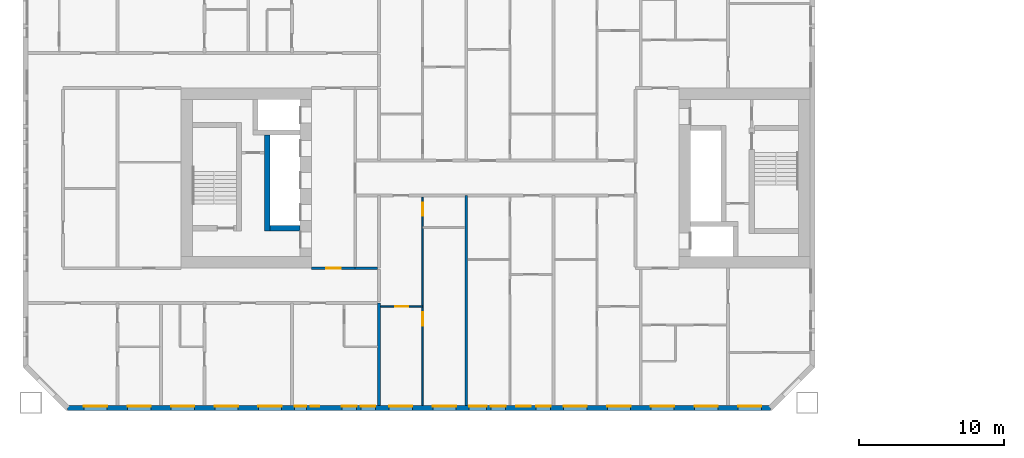
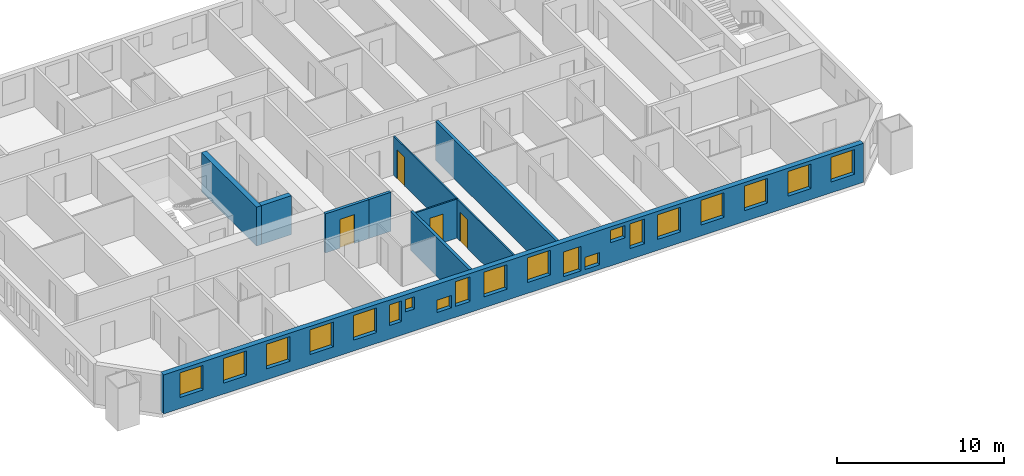
# One storey, part 4 of 19: 20 windows, 9 walls, 4 doors, 24 openings.
"""IFC4 building model written with IfcOpenShell, lengths in metres."""

from ifc_helpers import new_model, si_unit, direction, frame, frame_2d, origin, place, context, subcontext, project, spatial, rectangle, extrude, material, layer, layer_set, type_object, element, fill, save


model = new_model("IFC4")

# Units and contexts
model_context = context("Model", 3, precision=1e-05, world=origin(), true_north=direction((0.0, 1.0)))
body_context = subcontext(model_context, "Body", "Model", "MODEL_VIEW")
ifc_project = project(units=[si_unit("LENGTHUNIT", "METRE"), si_unit("AREAUNIT", "SQUARE_METRE"), si_unit("VOLUMEUNIT", "CUBIC_METRE"), si_unit("PLANEANGLEUNIT", "RADIAN"), si_unit("MASSUNIT", "GRAM", prefix="KILO")], contexts=[model_context])

# Site, building, storey
site_placement = place(None, origin())
site = spatial("IfcSite", under=ifc_project, at=site_placement, CompositionType="ELEMENT")
building_placement = place(site_placement, origin())
building = spatial("IfcBuilding", under=site, at=building_placement, Name="Tuart Gate Housing", CompositionType="ELEMENT")
storey_placement = place(building_placement, frame((0.0, 0.0, 56.699951171875)))
storey = spatial("IfcBuildingStorey", under=building, at=storey_placement, Name="L15", CompositionType="ELEMENT", Elevation=56.699951171875)

# Wall, openings, windows
ifc_material_1 = material(Name="Brick", Category="masonry")
ifc_layer_1 = layer(ifc_material_1, 0.360107421875)
ifc_layer_set_1 = layer_set([ifc_layer_1], Name="Brick pier and spandrel wall 360")
wall_type_1 = type_object("IfcWallType", Name="Brick pier and spandrel wall 360", PredefinedType="STANDARD", material=ifc_layer_set_1)
wall_1_placement = place(storey_placement, frame((24.57470703125, 54.179931640625, 0.0), z_axis=(0.0, 0.0, 1.0), x_axis=(1.0, 0.0, 0.0)))
wall_1 = element("IfcWall", 1, at=wall_1_placement, inside=storey, type_object=wall_type_1, Name="External wall A-S L15", PredefinedType="STANDARD", context=body_context, shape_type="SweptSolid", body=[
    extrude(rectangle(XDim=48.350830078125, YDim=0.360107421875, at=frame_2d((24.17529296875, 0.0))), origin(), (0.0, 0.0, 1.0), 2.85009765625),
])
opening_1_placement = place(wall_1_placement, frame((1.12548828125, 0.0, 0.800048828125)))
opening_1 = element("IfcOpeningElement", 2, at=opening_1_placement, cuts=wall_1, Name="Opening W1", PredefinedType="OPENING", context=body_context, shape_type="SweptSolid", body=[
    extrude(rectangle(XDim=1.60009765625, YDim=1.800048828125, at=frame_2d((0.800048828125, 0.89990234375))), frame((0.0, 0.18994140625, 0.0), z_axis=(0.0, -1.0, 0.0), x_axis=(1.0, 0.0, 0.0)), (0.0, 0.0, 1.0), 0.380126953125),
])
opening_2_placement = place(wall_1_placement, frame((4.12548828125, 0.0, 0.800048828125)))
opening_2 = element("IfcOpeningElement", 3, at=opening_2_placement, cuts=wall_1, Name="Opening W1", PredefinedType="OPENING", context=body_context, shape_type="SweptSolid", body=[
    extrude(rectangle(XDim=1.60009765625, YDim=1.800048828125, at=frame_2d((0.800048828125, 0.89990234375))), frame((0.0, 0.18994140625, 0.0), z_axis=(0.0, -1.0, 0.0), x_axis=(1.0, 0.0, 0.0)), (0.0, 0.0, 1.0), 0.380126953125),
])
opening_3_placement = place(wall_1_placement, frame((7.12548828125, 0.0, 0.800048828125)))
opening_3 = element("IfcOpeningElement", 4, at=opening_3_placement, cuts=wall_1, Name="Opening W1", PredefinedType="OPENING", context=body_context, shape_type="SweptSolid", body=[
    extrude(rectangle(XDim=1.60009765625, YDim=1.800048828125, at=frame_2d((0.800048828125, 0.89990234375))), frame((0.0, 0.18994140625, 0.0), z_axis=(0.0, -1.0, 0.0), x_axis=(1.0, 0.0, 0.0)), (0.0, 0.0, 1.0), 0.380126953125),
])
opening_4_placement = place(wall_1_placement, frame((10.12548828125, 0.0, 0.800048828125)))
opening_4 = element("IfcOpeningElement", 5, at=opening_4_placement, cuts=wall_1, Name="Opening W1", PredefinedType="OPENING", context=body_context, shape_type="SweptSolid", body=[
    extrude(rectangle(XDim=1.60009765625, YDim=1.800048828125, at=frame_2d((0.800048828125, 0.89990234375))), frame((0.0, 0.18994140625, 0.0), z_axis=(0.0, -1.0, 0.0), x_axis=(1.0, 0.0, 0.0)), (0.0, 0.0, 1.0), 0.380126953125),
])
opening_5_placement = place(wall_1_placement, frame((13.12548828125, 0.0, 0.800048828125)))
opening_5 = element("IfcOpeningElement", 6, at=opening_5_placement, cuts=wall_1, Name="Opening W1", PredefinedType="OPENING", context=body_context, shape_type="SweptSolid", body=[
    extrude(rectangle(XDim=1.60009765625, YDim=1.800048828125, at=frame_2d((0.800048828125, 0.89990234375))), frame((0.0, 0.18994140625, 0.0), z_axis=(0.0, -1.0, 0.0), x_axis=(1.0, 0.0, 0.0)), (0.0, 0.0, 1.0), 0.380126953125),
])
opening_6_placement = place(wall_1_placement, frame((15.62548828125, 0.0, 1.0)))
opening_6 = element("IfcOpeningElement", 7, at=opening_6_placement, cuts=wall_1, Name="Opening W1J", PredefinedType="OPENING", context=body_context, shape_type="SweptSolid", body=[
    extrude(rectangle(XDim=0.800048828125, YDim=1.5, at=frame_2d((0.39990234375, 0.75))), frame((0.0, 0.18994140625, 0.0), z_axis=(0.0, -1.0, 0.0), x_axis=(1.0, 0.0, 0.0)), (0.0, 0.0, 1.0), 0.380126953125),
])
opening_7_placement = place(wall_1_placement, frame((16.725341796875, 0.0, 1.60009765625)))
opening_7 = element("IfcOpeningElement", 8, at=opening_7_placement, cuts=wall_1, Name="Opening W1W", PredefinedType="OPENING", context=body_context, shape_type="SweptSolid", body=[
    extrude(rectangle(XDim=0.60009765625, YDim=0.89990234375, at=frame_2d((0.300048828125, 0.449951171875))), frame((0.0, 0.18994140625, 0.0), z_axis=(0.0, -1.0, 0.0), x_axis=(1.0, 0.0, 0.0)), (0.0, 0.0, 1.0), 0.380126953125),
])
opening_8_placement = place(wall_1_placement, frame((22.12548828125, 0.0, 0.800048828125)))
opening_8 = element("IfcOpeningElement", 9, at=opening_8_placement, cuts=wall_1, Name="Opening W1", PredefinedType="OPENING", context=body_context, shape_type="SweptSolid", body=[
    extrude(rectangle(XDim=1.60009765625, YDim=1.800048828125, at=frame_2d((0.800048828125, 0.89990234375))), frame((0.0, 0.18994140625, 0.0), z_axis=(0.0, -1.0, 0.0), x_axis=(1.0, 0.0, 0.0)), (0.0, 0.0, 1.0), 0.380126953125),
])
opening_9_placement = place(wall_1_placement, frame((25.12548828125, 0.0, 0.800048828125)))
opening_9 = element("IfcOpeningElement", 10, at=opening_9_placement, cuts=wall_1, Name="Opening W1", PredefinedType="OPENING", context=body_context, shape_type="SweptSolid", body=[
    extrude(rectangle(XDim=1.60009765625, YDim=1.800048828125, at=frame_2d((0.800048828125, 0.89990234375))), frame((0.0, 0.18994140625, 0.0), z_axis=(0.0, -1.0, 0.0), x_axis=(1.0, 0.0, 0.0)), (0.0, 0.0, 1.0), 0.380126953125),
])
opening_10_placement = place(wall_1_placement, frame((27.62548828125, 0.0, 0.35009765625)))
opening_10 = element("IfcOpeningElement", 11, at=opening_10_placement, cuts=wall_1, Name="Opening W1B", PredefinedType="OPENING", context=body_context, shape_type="SweptSolid", body=[
    extrude(rectangle(XDim=1.199951171875, YDim=1.800048828125, at=frame_2d((0.60009765625, 0.89990234375))), frame((0.0, 0.18994140625, 0.0), z_axis=(0.0, -1.0, 0.0), x_axis=(1.0, 0.0, 0.0)), (0.0, 0.0, 1.0), 0.380126953125),
])
opening_11_placement = place(wall_1_placement, frame((30.87548828125, 0.0, 1.699951171875)))
opening_11 = element("IfcOpeningElement", 12, at=opening_11_placement, cuts=wall_1, Name="Opening W1U", PredefinedType="OPENING", context=body_context, shape_type="SweptSolid", body=[
    extrude(rectangle(XDim=1.0, YDim=0.89990234375, at=frame_2d((0.5, 0.449951171875))), frame((0.0, 0.18994140625, 0.0), z_axis=(0.0, -1.0, 0.0), x_axis=(1.0, 0.0, 0.0)), (0.0, 0.0, 1.0), 0.380126953125),
])
opening_12_placement = place(wall_1_placement, frame((34.12548828125, 0.0, 0.800048828125)))
opening_12 = element("IfcOpeningElement", 13, at=opening_12_placement, cuts=wall_1, Name="Opening W1", PredefinedType="OPENING", context=body_context, shape_type="SweptSolid", body=[
    extrude(rectangle(XDim=1.60009765625, YDim=1.800048828125, at=frame_2d((0.800048828125, 0.89990234375))), frame((0.0, 0.18994140625, 0.0), z_axis=(0.0, -1.0, 0.0), x_axis=(1.0, 0.0, 0.0)), (0.0, 0.0, 1.0), 0.380126953125),
])
opening_13_placement = place(wall_1_placement, frame((37.12548828125, 0.0, 0.800048828125)))
opening_13 = element("IfcOpeningElement", 14, at=opening_13_placement, cuts=wall_1, Name="Opening W1", PredefinedType="OPENING", context=body_context, shape_type="SweptSolid", body=[
    extrude(rectangle(XDim=1.60009765625, YDim=1.800048828125, at=frame_2d((0.800048828125, 0.89990234375))), frame((0.0, 0.18994140625, 0.0), z_axis=(0.0, -1.0, 0.0), x_axis=(1.0, 0.0, 0.0)), (0.0, 0.0, 1.0), 0.380126953125),
])
opening_14_placement = place(wall_1_placement, frame((40.12548828125, 0.0, 0.800048828125)))
opening_14 = element("IfcOpeningElement", 15, at=opening_14_placement, cuts=wall_1, Name="Opening W1", PredefinedType="OPENING", context=body_context, shape_type="SweptSolid", body=[
    extrude(rectangle(XDim=1.60009765625, YDim=1.800048828125, at=frame_2d((0.800048828125, 0.89990234375))), frame((0.0, 0.18994140625, 0.0), z_axis=(0.0, -1.0, 0.0), x_axis=(1.0, 0.0, 0.0)), (0.0, 0.0, 1.0), 0.380126953125),
])
opening_15_placement = place(wall_1_placement, frame((43.12548828125, 0.0, 0.800048828125)))
opening_15 = element("IfcOpeningElement", 16, at=opening_15_placement, cuts=wall_1, Name="Opening W1", PredefinedType="OPENING", context=body_context, shape_type="SweptSolid", body=[
    extrude(rectangle(XDim=1.60009765625, YDim=1.800048828125, at=frame_2d((0.800048828125, 0.89990234375))), frame((0.0, 0.18994140625, 0.0), z_axis=(0.0, -1.0, 0.0), x_axis=(1.0, 0.0, 0.0)), (0.0, 0.0, 1.0), 0.380126953125),
])
opening_16_placement = place(wall_1_placement, frame((46.12548828125, 0.0, 0.800048828125)))
opening_16 = element("IfcOpeningElement", 17, at=opening_16_placement, cuts=wall_1, Name="Opening W1", PredefinedType="OPENING", context=body_context, shape_type="SweptSolid", body=[
    extrude(rectangle(XDim=1.60009765625, YDim=1.800048828125, at=frame_2d((0.800048828125, 0.89990234375))), frame((0.0, 0.18994140625, 0.0), z_axis=(0.0, -1.0, 0.0), x_axis=(1.0, 0.0, 0.0)), (0.0, 0.0, 1.0), 0.380126953125),
])
opening_17_placement = place(wall_1_placement, frame((18.87548828125, 0.0, 0.800048828125)))
opening_17 = element("IfcOpeningElement", 18, at=opening_17_placement, cuts=wall_1, Name="Opening W1U", PredefinedType="OPENING", context=body_context, shape_type="SweptSolid", body=[
    extrude(rectangle(XDim=1.0, YDim=0.89990234375, at=frame_2d((0.5, 0.449951171875))), frame((0.0, 0.18994140625, 0.0), z_axis=(0.0, -1.0, 0.0), x_axis=(1.0, 0.0, 0.0)), (0.0, 0.0, 1.0), 0.380126953125),
])
opening_18_placement = place(wall_1_placement, frame((20.17529296875, 0.0, 0.800048828125)))
opening_18 = element("IfcOpeningElement", 19, at=opening_18_placement, cuts=wall_1, Name="Opening W1C", PredefinedType="OPENING", context=body_context, shape_type="SweptSolid", body=[
    extrude(rectangle(XDim=1.0, YDim=1.800048828125, at=frame_2d((0.5, 0.89990234375))), frame((0.0, 0.18994140625, 0.0), z_axis=(0.0, -1.0, 0.0), x_axis=(1.0, 0.0, 0.0)), (0.0, 0.0, 1.0), 0.380126953125),
])
opening_19_placement = place(wall_1_placement, frame((29.12548828125, 0.0, 0.35009765625)))
opening_19 = element("IfcOpeningElement", 20, at=opening_19_placement, cuts=wall_1, Name="Opening W1U", PredefinedType="OPENING", context=body_context, shape_type="SweptSolid", body=[
    extrude(rectangle(XDim=1.0, YDim=0.89990234375, at=frame_2d((0.5, 0.449951171875))), frame((0.0, 0.18994140625, 0.0), z_axis=(0.0, -1.0, 0.0), x_axis=(1.0, 0.0, 0.0)), (0.0, 0.0, 1.0), 0.380126953125),
])
opening_20_placement = place(wall_1_placement, frame((32.225341796875, 0.0, 0.800048828125)))
opening_20 = element("IfcOpeningElement", 21, at=opening_20_placement, cuts=wall_1, Name="Opening W1C", PredefinedType="OPENING", context=body_context, shape_type="SweptSolid", body=[
    extrude(rectangle(XDim=1.0, YDim=1.800048828125, at=frame_2d((0.5, 0.89990234375))), frame((0.0, 0.18994140625, 0.0), z_axis=(0.0, -1.0, 0.0), x_axis=(1.0, 0.0, 0.0)), (0.0, 0.0, 1.0), 0.380126953125),
])
ifc_material_2 = material(Name="Aluminium frame with clear glass", Category="aluminium")
window_type_1 = type_object("IfcWindowType", Name="Punched window 1000 x 1800", PartitioningType="SINGLE_PANEL", PredefinedType="WINDOW", material=ifc_material_2)
window_1_placement = place(opening_18_placement, origin())
window_1 = element("IfcWindow", 22, at=window_1_placement, inside=storey, type_object=window_type_1, Name="Window W1C", OverallHeight=1.800048828125, OverallWidth=1.0, PartitioningType="SINGLE_PANEL", PredefinedType="WINDOW", context=body_context, shape_type="SweptSolid", body=[
    extrude(rectangle(XDim=1.0, YDim=1.800048828125, at=frame_2d((0.5, 0.89990234375))), frame((0.0, 0.150146484375, 0.0), z_axis=(0.0, -1.0, 0.0), x_axis=(1.0, 0.0, 0.0)), (0.0, 0.0, 1.0), 0.06005859375),
])
fill(opening_18, window_1)
window_2_placement = place(opening_20_placement, origin())
window_2 = element("IfcWindow", 23, at=window_2_placement, inside=storey, type_object=window_type_1, Name="Window W1C", OverallHeight=1.800048828125, OverallWidth=1.0, PartitioningType="SINGLE_PANEL", PredefinedType="WINDOW", context=body_context, shape_type="SweptSolid", body=[
    extrude(rectangle(XDim=1.0, YDim=1.800048828125, at=frame_2d((0.5, 0.89990234375))), frame((0.0, 0.150146484375, 0.0), z_axis=(0.0, -1.0, 0.0), x_axis=(1.0, 0.0, 0.0)), (0.0, 0.0, 1.0), 0.06005859375),
])
fill(opening_20, window_2)
ifc_material_3 = material(Name="Aluminium frame with clear glass", Category="aluminium")
window_type_2 = type_object("IfcWindowType", Name="Punched window 1000 x 900", PartitioningType="SINGLE_PANEL", PredefinedType="WINDOW", material=ifc_material_3)
window_3_placement = place(opening_11_placement, origin())
window_3 = element("IfcWindow", 24, at=window_3_placement, inside=storey, type_object=window_type_2, Name="Window W1U", OverallHeight=0.89990234375, OverallWidth=1.0, PartitioningType="SINGLE_PANEL", PredefinedType="WINDOW", context=body_context, shape_type="SweptSolid", body=[
    extrude(rectangle(XDim=1.0, YDim=0.89990234375, at=frame_2d((0.5, 0.449951171875))), frame((0.0, 0.150146484375, 0.0), z_axis=(0.0, -1.0, 0.0), x_axis=(1.0, 0.0, 0.0)), (0.0, 0.0, 1.0), 0.06005859375),
])
fill(opening_11, window_3)
window_4_placement = place(opening_17_placement, origin())
window_4 = element("IfcWindow", 25, at=window_4_placement, inside=storey, type_object=window_type_2, Name="Window W1U", OverallHeight=0.89990234375, OverallWidth=1.0, PartitioningType="SINGLE_PANEL", PredefinedType="WINDOW", context=body_context, shape_type="SweptSolid", body=[
    extrude(rectangle(XDim=1.0, YDim=0.89990234375, at=frame_2d((0.5, 0.449951171875))), frame((0.0, 0.150146484375, 0.0), z_axis=(0.0, -1.0, 0.0), x_axis=(1.0, 0.0, 0.0)), (0.0, 0.0, 1.0), 0.06005859375),
])
fill(opening_17, window_4)
window_5_placement = place(opening_19_placement, origin())
window_5 = element("IfcWindow", 26, at=window_5_placement, inside=storey, type_object=window_type_2, Name="Window W1U", OverallHeight=0.89990234375, OverallWidth=1.0, PartitioningType="SINGLE_PANEL", PredefinedType="WINDOW", context=body_context, shape_type="SweptSolid", body=[
    extrude(rectangle(XDim=1.0, YDim=0.89990234375, at=frame_2d((0.5, 0.449951171875))), frame((0.0, 0.150146484375, 0.0), z_axis=(0.0, -1.0, 0.0), x_axis=(1.0, 0.0, 0.0)), (0.0, 0.0, 1.0), 0.06005859375),
])
fill(opening_19, window_5)
ifc_material_4 = material(Name="Aluminium frame with clear glass", Category="aluminium")
window_type_3 = type_object("IfcWindowType", Name="Punched window 1200 x 1800", PartitioningType="SINGLE_PANEL", PredefinedType="WINDOW", material=ifc_material_4)
window_6_placement = place(opening_10_placement, origin())
window_6 = element("IfcWindow", 27, at=window_6_placement, inside=storey, type_object=window_type_3, Name="Window W1B", OverallHeight=1.800048828125, OverallWidth=1.199951171875, PartitioningType="SINGLE_PANEL", PredefinedType="WINDOW", context=body_context, shape_type="SweptSolid", body=[
    extrude(rectangle(XDim=1.199951171875, YDim=1.800048828125, at=frame_2d((0.60009765625, 0.89990234375))), frame((0.0, 0.150146484375, 0.0), z_axis=(0.0, -1.0, 0.0), x_axis=(1.0, 0.0, 0.0)), (0.0, 0.0, 1.0), 0.06005859375),
])
fill(opening_10, window_6)
ifc_material_5 = material(Name="Aluminium frame with clear glass", Category="aluminium")
window_type_4 = type_object("IfcWindowType", Name="Punched window 1600 x 1800", PartitioningType="SINGLE_PANEL", PredefinedType="WINDOW", material=ifc_material_5)
window_7_placement = place(opening_1_placement, origin())
window_7 = element("IfcWindow", 28, at=window_7_placement, inside=storey, type_object=window_type_4, Name="Window W1", OverallHeight=1.800048828125, OverallWidth=1.60009765625, PartitioningType="SINGLE_PANEL", PredefinedType="WINDOW", context=body_context, shape_type="SweptSolid", body=[
    extrude(rectangle(XDim=1.60009765625, YDim=1.800048828125, at=frame_2d((0.800048828125, 0.89990234375))), frame((0.0, 0.150146484375, 0.0), z_axis=(0.0, -1.0, 0.0), x_axis=(1.0, 0.0, 0.0)), (0.0, 0.0, 1.0), 0.06005859375),
])
fill(opening_1, window_7)
window_8_placement = place(opening_2_placement, origin())
window_8 = element("IfcWindow", 29, at=window_8_placement, inside=storey, type_object=window_type_4, Name="Window W1", OverallHeight=1.800048828125, OverallWidth=1.60009765625, PartitioningType="SINGLE_PANEL", PredefinedType="WINDOW", context=body_context, shape_type="SweptSolid", body=[
    extrude(rectangle(XDim=1.60009765625, YDim=1.800048828125, at=frame_2d((0.800048828125, 0.89990234375))), frame((0.0, 0.150146484375, 0.0), z_axis=(0.0, -1.0, 0.0), x_axis=(1.0, 0.0, 0.0)), (0.0, 0.0, 1.0), 0.06005859375),
])
fill(opening_2, window_8)
window_9_placement = place(opening_3_placement, origin())
window_9 = element("IfcWindow", 30, at=window_9_placement, inside=storey, type_object=window_type_4, Name="Window W1", OverallHeight=1.800048828125, OverallWidth=1.60009765625, PartitioningType="SINGLE_PANEL", PredefinedType="WINDOW", context=body_context, shape_type="SweptSolid", body=[
    extrude(rectangle(XDim=1.60009765625, YDim=1.800048828125, at=frame_2d((0.800048828125, 0.89990234375))), frame((0.0, 0.150146484375, 0.0), z_axis=(0.0, -1.0, 0.0), x_axis=(1.0, 0.0, 0.0)), (0.0, 0.0, 1.0), 0.06005859375),
])
fill(opening_3, window_9)
window_10_placement = place(opening_4_placement, origin())
window_10 = element("IfcWindow", 31, at=window_10_placement, inside=storey, type_object=window_type_4, Name="Window W1", OverallHeight=1.800048828125, OverallWidth=1.60009765625, PartitioningType="SINGLE_PANEL", PredefinedType="WINDOW", context=body_context, shape_type="SweptSolid", body=[
    extrude(rectangle(XDim=1.60009765625, YDim=1.800048828125, at=frame_2d((0.800048828125, 0.89990234375))), frame((0.0, 0.150146484375, 0.0), z_axis=(0.0, -1.0, 0.0), x_axis=(1.0, 0.0, 0.0)), (0.0, 0.0, 1.0), 0.06005859375),
])
fill(opening_4, window_10)
window_11_placement = place(opening_5_placement, origin())
window_11 = element("IfcWindow", 32, at=window_11_placement, inside=storey, type_object=window_type_4, Name="Window W1", OverallHeight=1.800048828125, OverallWidth=1.60009765625, PartitioningType="SINGLE_PANEL", PredefinedType="WINDOW", context=body_context, shape_type="SweptSolid", body=[
    extrude(rectangle(XDim=1.60009765625, YDim=1.800048828125, at=frame_2d((0.800048828125, 0.89990234375))), frame((0.0, 0.150146484375, 0.0), z_axis=(0.0, -1.0, 0.0), x_axis=(1.0, 0.0, 0.0)), (0.0, 0.0, 1.0), 0.06005859375),
])
fill(opening_5, window_11)
window_12_placement = place(opening_8_placement, origin())
window_12 = element("IfcWindow", 33, at=window_12_placement, inside=storey, type_object=window_type_4, Name="Window W1", OverallHeight=1.800048828125, OverallWidth=1.60009765625, PartitioningType="SINGLE_PANEL", PredefinedType="WINDOW", context=body_context, shape_type="SweptSolid", body=[
    extrude(rectangle(XDim=1.60009765625, YDim=1.800048828125, at=frame_2d((0.800048828125, 0.89990234375))), frame((0.0, 0.150146484375, 0.0), z_axis=(0.0, -1.0, 0.0), x_axis=(1.0, 0.0, 0.0)), (0.0, 0.0, 1.0), 0.06005859375),
])
fill(opening_8, window_12)
window_13_placement = place(opening_9_placement, origin())
window_13 = element("IfcWindow", 34, at=window_13_placement, inside=storey, type_object=window_type_4, Name="Window W1", OverallHeight=1.800048828125, OverallWidth=1.60009765625, PartitioningType="SINGLE_PANEL", PredefinedType="WINDOW", context=body_context, shape_type="SweptSolid", body=[
    extrude(rectangle(XDim=1.60009765625, YDim=1.800048828125, at=frame_2d((0.800048828125, 0.89990234375))), frame((0.0, 0.150146484375, 0.0), z_axis=(0.0, -1.0, 0.0), x_axis=(1.0, 0.0, 0.0)), (0.0, 0.0, 1.0), 0.06005859375),
])
fill(opening_9, window_13)
window_14_placement = place(opening_12_placement, origin())
window_14 = element("IfcWindow", 35, at=window_14_placement, inside=storey, type_object=window_type_4, Name="Window W1", OverallHeight=1.800048828125, OverallWidth=1.60009765625, PartitioningType="SINGLE_PANEL", PredefinedType="WINDOW", context=body_context, shape_type="SweptSolid", body=[
    extrude(rectangle(XDim=1.60009765625, YDim=1.800048828125, at=frame_2d((0.800048828125, 0.89990234375))), frame((0.0, 0.150146484375, 0.0), z_axis=(0.0, -1.0, 0.0), x_axis=(1.0, 0.0, 0.0)), (0.0, 0.0, 1.0), 0.06005859375),
])
fill(opening_12, window_14)
window_15_placement = place(opening_13_placement, origin())
window_15 = element("IfcWindow", 36, at=window_15_placement, inside=storey, type_object=window_type_4, Name="Window W1", OverallHeight=1.800048828125, OverallWidth=1.60009765625, PartitioningType="SINGLE_PANEL", PredefinedType="WINDOW", context=body_context, shape_type="SweptSolid", body=[
    extrude(rectangle(XDim=1.60009765625, YDim=1.800048828125, at=frame_2d((0.800048828125, 0.89990234375))), frame((0.0, 0.150146484375, 0.0), z_axis=(0.0, -1.0, 0.0), x_axis=(1.0, 0.0, 0.0)), (0.0, 0.0, 1.0), 0.06005859375),
])
fill(opening_13, window_15)
window_16_placement = place(opening_14_placement, origin())
window_16 = element("IfcWindow", 37, at=window_16_placement, inside=storey, type_object=window_type_4, Name="Window W1", OverallHeight=1.800048828125, OverallWidth=1.60009765625, PartitioningType="SINGLE_PANEL", PredefinedType="WINDOW", context=body_context, shape_type="SweptSolid", body=[
    extrude(rectangle(XDim=1.60009765625, YDim=1.800048828125, at=frame_2d((0.800048828125, 0.89990234375))), frame((0.0, 0.150146484375, 0.0), z_axis=(0.0, -1.0, 0.0), x_axis=(1.0, 0.0, 0.0)), (0.0, 0.0, 1.0), 0.06005859375),
])
fill(opening_14, window_16)
window_17_placement = place(opening_15_placement, origin())
window_17 = element("IfcWindow", 38, at=window_17_placement, inside=storey, type_object=window_type_4, Name="Window W1", OverallHeight=1.800048828125, OverallWidth=1.60009765625, PartitioningType="SINGLE_PANEL", PredefinedType="WINDOW", context=body_context, shape_type="SweptSolid", body=[
    extrude(rectangle(XDim=1.60009765625, YDim=1.800048828125, at=frame_2d((0.800048828125, 0.89990234375))), frame((0.0, 0.150146484375, 0.0), z_axis=(0.0, -1.0, 0.0), x_axis=(1.0, 0.0, 0.0)), (0.0, 0.0, 1.0), 0.06005859375),
])
fill(opening_15, window_17)
window_18_placement = place(opening_16_placement, origin())
window_18 = element("IfcWindow", 39, at=window_18_placement, inside=storey, type_object=window_type_4, Name="Window W1", OverallHeight=1.800048828125, OverallWidth=1.60009765625, PartitioningType="SINGLE_PANEL", PredefinedType="WINDOW", context=body_context, shape_type="SweptSolid", body=[
    extrude(rectangle(XDim=1.60009765625, YDim=1.800048828125, at=frame_2d((0.800048828125, 0.89990234375))), frame((0.0, 0.150146484375, 0.0), z_axis=(0.0, -1.0, 0.0), x_axis=(1.0, 0.0, 0.0)), (0.0, 0.0, 1.0), 0.06005859375),
])
fill(opening_16, window_18)
ifc_material_6 = material(Name="Aluminium frame with clear glass", Category="aluminium")
window_type_5 = type_object("IfcWindowType", Name="Punched window 600 x 900", PartitioningType="SINGLE_PANEL", PredefinedType="WINDOW", material=ifc_material_6)
window_19_placement = place(opening_7_placement, origin())
window_19 = element("IfcWindow", 40, at=window_19_placement, inside=storey, type_object=window_type_5, Name="Window W1W", OverallHeight=0.89990234375, OverallWidth=0.60009765625, PartitioningType="SINGLE_PANEL", PredefinedType="WINDOW", context=body_context, shape_type="SweptSolid", body=[
    extrude(rectangle(XDim=0.60009765625, YDim=0.89990234375, at=frame_2d((0.300048828125, 0.449951171875))), frame((0.0, 0.150146484375, 0.0), z_axis=(0.0, -1.0, 0.0), x_axis=(1.0, 0.0, 0.0)), (0.0, 0.0, 1.0), 0.06005859375),
])
fill(opening_7, window_19)
ifc_material_7 = material(Name="Aluminium frame with clear glass", Category="aluminium")
window_type_6 = type_object("IfcWindowType", Name="Punched window 800 x 1500", PartitioningType="SINGLE_PANEL", PredefinedType="WINDOW", material=ifc_material_7)
window_20_placement = place(opening_6_placement, origin())
window_20 = element("IfcWindow", 41, at=window_20_placement, inside=storey, type_object=window_type_6, Name="Window W1J", OverallHeight=1.5, OverallWidth=0.800048828125, PartitioningType="SINGLE_PANEL", PredefinedType="WINDOW", context=body_context, shape_type="SweptSolid", body=[
    extrude(rectangle(XDim=0.800048828125, YDim=1.5, at=frame_2d((0.39990234375, 0.75))), frame((0.0, 0.150146484375, 0.0), z_axis=(0.0, -1.0, 0.0), x_axis=(1.0, 0.0, 0.0)), (0.0, 0.0, 1.0), 0.06005859375),
])
fill(opening_6, window_20)

# Walls
ifc_material_8 = material(Name="Concrete C60", Category="concrete")
ifc_layer_2 = layer(ifc_material_8, 0.35009765625)
ifc_layer_set_2 = layer_set([ifc_layer_2], Name="Core wall 350 C60")
wall_type_2 = type_object("IfcWallType", Name="Core wall 350 C60", PredefinedType="SHEAR", material=ifc_layer_set_2)
wall_2_placement = place(storey_placement, frame((40.56005859375, 66.550048828125, 0.0), z_axis=(0.0, 0.0, 1.0), x_axis=(-1.0, 0.0, 0.0)))
element("IfcWall", 42, at=wall_2_placement, inside=storey, type_object=wall_type_2, Name="Core wall AK.4", PredefinedType="SHEAR", context=body_context, shape_type="SweptSolid", body=[
    extrude(rectangle(XDim=2.074951171875, YDim=0.35009765625, at=frame_2d((1.03759765625, 0.0))), origin(), (0.0, 0.0, 1.0), 2.85009765625),
])
wall_3_placement = place(storey_placement, frame((38.31005859375, 72.97509765625, 0.0), z_axis=(0.0, 0.0, 1.0), x_axis=(0.0, -1.0, 0.0)))
element("IfcWall", 43, at=wall_3_placement, inside=storey, type_object=wall_type_2, Name="Core wall AK.6", PredefinedType="SHEAR", context=body_context, shape_type="SweptSolid", body=[
    extrude(rectangle(XDim=6.60009765625, YDim=0.35009765625, at=frame_2d((3.300048828125, 0.0))), origin(), (0.0, 0.0, 1.0), 2.85009765625),
])
ifc_material_9 = material(Name="Concrete masonry 15 MPa", Category="masonry")
ifc_layer_3 = layer(ifc_material_9, 0.199951171875)
ifc_layer_set_3 = layer_set([ifc_layer_3], Name="Corridor wall masonry 200")
wall_type_3 = type_object("IfcWallType", Name="Corridor wall masonry 200", PredefinedType="PARTITIONING", material=ifc_layer_set_3)
wall_4_placement = place(storey_placement, frame((44.360107421875, 63.800048828125, 0.0), z_axis=(0.0, 0.0, 1.0), x_axis=(1.0, 0.0, 0.0)))
element("IfcWall", 44, at=wall_4_placement, inside=storey, type_object=wall_type_3, Name="Corridor wall masonry 200", PredefinedType="PARTITIONING", context=body_context, shape_type="SweptSolid", body=[
    extrude(rectangle(XDim=1.539794921875, YDim=0.199951171875, at=frame_2d((0.77001953125, 0.0))), origin(), (0.0, 0.0, 1.0), 2.85009765625),
])

# Wall, opening, door
ifc_material_10 = material(Name="Concrete masonry 15 MPa", Category="masonry")
ifc_layer_4 = layer(ifc_material_10, 0.199951171875)
ifc_layer_set_4 = layer_set([ifc_layer_4], Name="Enclosure wall masonry 200")
wall_type_4 = type_object("IfcWallType", Name="Enclosure wall masonry 200", PredefinedType="PARTITIONING", material=ifc_layer_set_4)
wall_5_placement = place(storey_placement, frame((41.360107421875, 63.800048828125, 0.0), z_axis=(0.0, 0.0, 1.0), x_axis=(1.0, 0.0, 0.0)))
wall_5 = element("IfcWall", 45, at=wall_5_placement, inside=storey, type_object=wall_type_4, Name="Enclosure wall masonry 200", PredefinedType="PARTITIONING", context=body_context, shape_type="SweptSolid", body=[
    extrude(rectangle(XDim=3.0, YDim=0.199951171875, at=frame_2d((1.5, 0.0))), origin(), (0.0, 0.0, 1.0), 2.85009765625),
])
opening_21_placement = place(wall_5_placement, frame((1.0, 0.0, 0.0)))
opening_21 = element("IfcOpeningElement", 46, at=opening_21_placement, cuts=wall_5, Name="Opening D755", PredefinedType="OPENING", context=body_context, shape_type="SweptSolid", body=[
    extrude(rectangle(XDim=1.0, YDim=2.10009765625, at=frame_2d((0.5, 1.050048828125))), frame((0.0, 0.10986328125, 0.0), z_axis=(0.0, -1.0, 0.0), x_axis=(1.0, 0.0, 0.0)), (0.0, 0.0, 1.0), 0.219970703125),
])
ifc_material_11 = material(Name="Timber door leaf in steel frame", Category="steel")
door_type_1 = type_object("IfcDoorType", Name="Fire door 1000", OperationType="SINGLE_SWING_LEFT", PredefinedType="DOOR", material=ifc_material_11)
door_1_placement = place(opening_21_placement, frame((1.0, 0.0, 0.0), z_axis=(0.0, 0.0, 1.0), x_axis=(-1.0, 0.0, 0.0)))
door_1 = element("IfcDoor", 47, at=door_1_placement, inside=storey, type_object=door_type_1, Name="Fire door", OperationType="SINGLE_SWING_LEFT", OverallHeight=2.10009765625, OverallWidth=1.0, PredefinedType="DOOR", context=body_context, shape_type="SweptSolid", body=[
    extrude(rectangle(XDim=1.0, YDim=2.10009765625, at=frame_2d((0.5, 1.050048828125))), frame((0.0, 0.025146484375, 0.0), z_axis=(0.0, -1.0, 0.0), x_axis=(1.0, 0.0, 0.0)), (0.0, 0.0, 1.0), 0.050048828125),
])
fill(opening_21, door_1)

ifc_material_12 = material(Name="Gypsum board on steel studs", Category="steel")
ifc_layer_5 = layer(ifc_material_12, 0.10009765625)
ifc_layer_set_5 = layer_set([ifc_layer_5], Name="Partition 100")
wall_type_5 = type_object("IfcWallType", Name="Partition 100", PredefinedType="PARTITIONING", material=ifc_layer_set_5)
wall_6_placement = place(storey_placement, frame((46.10009765625, 61.159912109375, 0.0), z_axis=(0.0, 0.0, 1.0), x_axis=(1.0, 0.0, 0.0)))
wall_6 = element("IfcWall", 48, at=wall_6_placement, inside=storey, type_object=wall_type_5, Name="Partition 100", PredefinedType="PARTITIONING", context=body_context, shape_type="SweptSolid", body=[
    extrude(rectangle(XDim=2.89990234375, YDim=0.10009765625, at=frame_2d((1.449951171875, 0.0))), origin(), (0.0, 0.0, 1.0), 2.85009765625),
])
opening_22_placement = place(wall_6_placement, frame((1.0, 0.0, 0.0)))
opening_22 = element("IfcOpeningElement", 49, at=opening_22_placement, cuts=wall_6, Name="Opening D767", PredefinedType="OPENING", context=body_context, shape_type="SweptSolid", body=[
    extrude(rectangle(XDim=0.89990234375, YDim=2.10009765625, at=frame_2d((0.449951171875, 1.050048828125))), frame((0.0, 0.06005859375, 0.0), z_axis=(0.0, -1.0, 0.0), x_axis=(1.0, 0.0, 0.0)), (0.0, 0.0, 1.0), 0.1201171875),
])
ifc_material_13 = material(Name="Timber door leaf in steel frame", Category="steel")
door_type_2 = type_object("IfcDoorType", Name="Internal door 900 RH", OperationType="SINGLE_SWING_RIGHT", PredefinedType="DOOR", material=ifc_material_13)
door_2_placement = place(opening_22_placement, origin())
door_2 = element("IfcDoor", 50, at=door_2_placement, inside=storey, type_object=door_type_2, Name="Internal door", OperationType="SINGLE_SWING_RIGHT", OverallHeight=2.10009765625, OverallWidth=0.89990234375, PredefinedType="DOOR", context=body_context, shape_type="SweptSolid", body=[
    extrude(rectangle(XDim=0.89990234375, YDim=2.10009765625, at=frame_2d((0.449951171875, 1.050048828125))), frame((0.0, 0.02490234375, 0.0), z_axis=(0.0, -1.0, 0.0), x_axis=(1.0, 0.0, 0.0)), (0.0, 0.0, 1.0), 0.050048828125),
])
fill(opening_22, door_2)

# Wall, openings, doors
wall_7_placement = place(storey_placement, frame((49.0, 54.360107421875, 0.0), z_axis=(0.0, 0.0, 1.0), x_axis=(0.0, 1.0, 0.0)))
wall_7 = element("IfcWall", 51, at=wall_7_placement, inside=storey, type_object=wall_type_5, Name="Partition 100", PredefinedType="PARTITIONING", context=body_context, shape_type="SweptSolid", body=[
    extrude(rectangle(XDim=14.33984375, YDim=0.10009765625, at=frame_2d((7.169921875, 0.0))), origin(), (0.0, 0.0, 1.0), 2.85009765625),
])
opening_23_placement = place(wall_7_placement, frame((5.5, 0.0, 0.0)))
opening_23 = element("IfcOpeningElement", 52, at=opening_23_placement, cuts=wall_7, Name="Opening D759", PredefinedType="OPENING", context=body_context, shape_type="SweptSolid", body=[
    extrude(rectangle(XDim=0.89990234375, YDim=2.10009765625, at=frame_2d((0.449951171875, 1.050048828125))), frame((0.0, 0.06005859375, 0.0), z_axis=(0.0, -1.0, 0.0), x_axis=(1.0, 0.0, 0.0)), (0.0, 0.0, 1.0), 0.1201171875),
])
opening_24_placement = place(wall_7_placement, frame((13.0400390625, 0.0, 0.0)))
opening_24 = element("IfcOpeningElement", 53, at=opening_24_placement, cuts=wall_7, Name="Opening D758", PredefinedType="OPENING", context=body_context, shape_type="SweptSolid", body=[
    extrude(rectangle(XDim=0.89990234375, YDim=2.10009765625, at=frame_2d((0.449951171875, 1.050048828125))), frame((0.0, 0.06005859375, 0.0), z_axis=(0.0, -1.0, 0.0), x_axis=(1.0, 0.0, 0.0)), (0.0, 0.0, 1.0), 0.1201171875),
])
ifc_material_14 = material(Name="Timber door leaf in steel frame", Category="steel")
door_type_3 = type_object("IfcDoorType", Name="Bathroom door 900", OperationType="SINGLE_SWING_LEFT", PredefinedType="DOOR", material=ifc_material_14)
door_3_placement = place(opening_24_placement, frame((0.89990234375, 0.0, 0.0), z_axis=(0.0, 0.0, 1.0), x_axis=(-1.0, 0.0, 0.0)))
door_3 = element("IfcDoor", 54, at=door_3_placement, inside=storey, type_object=door_type_3, Name="Bathroom door", OperationType="SINGLE_SWING_LEFT", OverallHeight=2.10009765625, OverallWidth=0.89990234375, PredefinedType="DOOR", context=body_context, shape_type="SweptSolid", body=[
    extrude(rectangle(XDim=0.89990234375, YDim=2.10009765625, at=frame_2d((0.449951171875, 1.050048828125))), frame((0.0, 0.025146484375, 0.0), z_axis=(0.0, -1.0, 0.0), x_axis=(1.0, 0.0, 0.0)), (0.0, 0.0, 1.0), 0.050048828125),
])
fill(opening_24, door_3)
door_4_placement = place(opening_23_placement, frame((0.89990234375, 0.0, 0.0), z_axis=(0.0, 0.0, 1.0), x_axis=(-1.0, 0.0, 0.0)))
door_4 = element("IfcDoor", 55, at=door_4_placement, inside=storey, type_object=door_type_2, Name="Internal door", OperationType="SINGLE_SWING_RIGHT", OverallHeight=2.10009765625, OverallWidth=0.89990234375, PredefinedType="DOOR", context=body_context, shape_type="SweptSolid", body=[
    extrude(rectangle(XDim=0.89990234375, YDim=2.10009765625, at=frame_2d((0.449951171875, 1.050048828125))), frame((0.0, 0.025146484375, 0.0), z_axis=(0.0, -1.0, 0.0), x_axis=(1.0, 0.0, 0.0)), (0.0, 0.0, 1.0), 0.050048828125),
])
fill(opening_23, door_4)

# Walls
ifc_material_15 = material(Name="Concrete C40", Category="concrete")
ifc_layer_6 = layer(ifc_material_15, 0.199951171875)
ifc_layer_set_6 = layer_set([ifc_layer_6], Name="Party wall concrete C40 200")
wall_type_6 = type_object("IfcWallType", Name="Party wall concrete C40 200", PredefinedType="SOLIDWALL", material=ifc_layer_set_6)
wall_8_placement = place(storey_placement, frame((46.0, 54.360107421875, 0.0), z_axis=(0.0, 0.0, 1.0), x_axis=(0.0, 1.0, 0.0)))
element("IfcWall", 56, at=wall_8_placement, inside=storey, type_object=wall_type_6, Name="Party wall concrete C40 200", PredefinedType="SOLIDWALL", context=body_context, shape_type="SweptSolid", body=[
    extrude(rectangle(XDim=7.039794921875, YDim=0.199951171875, at=frame_2d((3.52001953125, 0.0))), origin(), (0.0, 0.0, 1.0), 2.85009765625),
])
wall_9_placement = place(storey_placement, frame((52.0, 54.360107421875, 0.0), z_axis=(0.0, 0.0, 1.0), x_axis=(0.0, 1.0, 0.0)))
element("IfcWall", 57, at=wall_9_placement, inside=storey, type_object=wall_type_6, Name="Party wall concrete C40 200", PredefinedType="SOLIDWALL", context=body_context, shape_type="SweptSolid", body=[
    extrude(rectangle(XDim=14.43994140625, YDim=0.199951171875, at=frame_2d((7.219970703125, 0.0))), origin(), (0.0, 0.0, 1.0), 2.85009765625),
])

save(model, "model.ifc")
